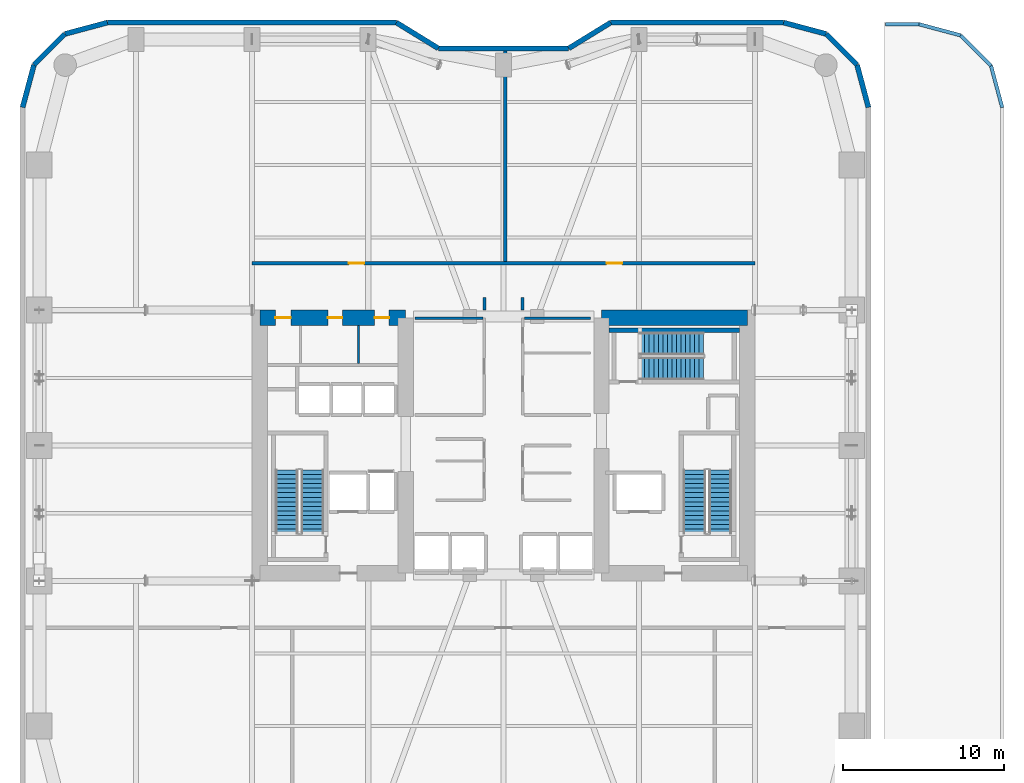
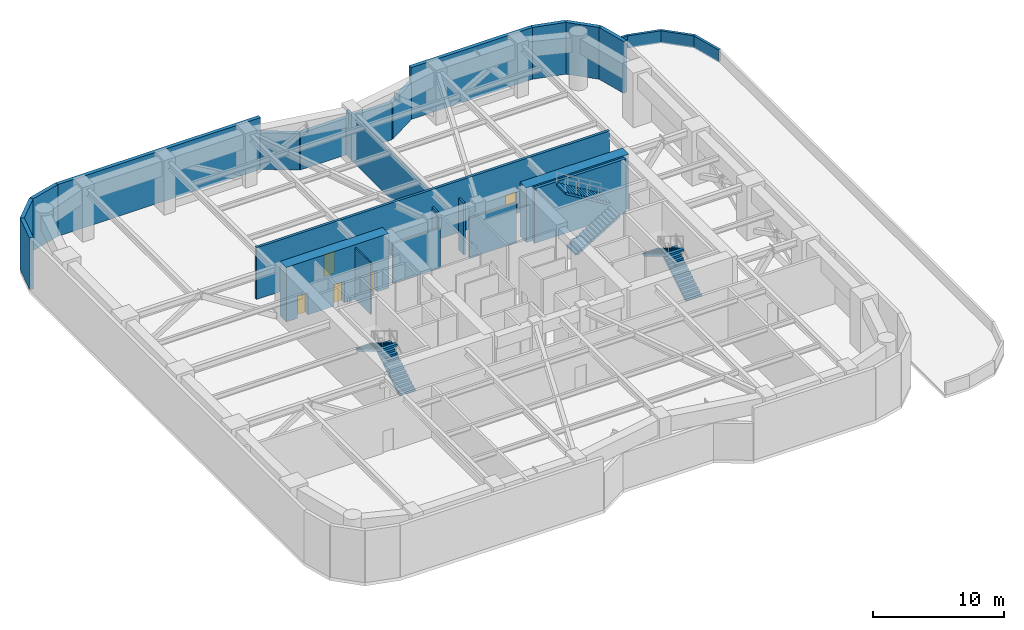
# One storey, part 14 of 16: 25 walls, 6 stair flights, 5 doors, 5 openings, 3 elements without a shape of their own.
"""IFC4 building model written with IfcOpenShell, lengths in metres."""

from ifc_helpers import new_model, si_unit, direction, frame, frame_2d, origin, place, context, subcontext, project, spatial, polyline, rectangle, outline, extrude, material, layer, layer_set, type_object, element, fill, aggregate, save


model = new_model("IFC4")

# Units and contexts
model_context = context("Model", 3, precision=1e-05, world=origin(), true_north=direction((0.0, 1.0)))
body_context = subcontext(model_context, "Body", "Model", "MODEL_VIEW")
ifc_project = project(units=[si_unit("LENGTHUNIT", "METRE"), si_unit("AREAUNIT", "SQUARE_METRE"), si_unit("VOLUMEUNIT", "CUBIC_METRE"), si_unit("PLANEANGLEUNIT", "RADIAN"), si_unit("MASSUNIT", "GRAM", prefix="KILO")], contexts=[model_context])

# Site, building, storey
site_placement = place(None, origin())
site = spatial("IfcSite", under=ifc_project, at=site_placement, CompositionType="ELEMENT")
building_placement = place(site_placement, origin())
building = spatial("IfcBuilding", under=site, at=building_placement, Name="Kiyonajd Concourse Tower", CompositionType="ELEMENT")
storey_placement = place(building_placement, frame((0.0, 0.0, 80.699951171875)))
storey = spatial("IfcBuildingStorey", under=building, at=storey_placement, Name="L21", CompositionType="ELEMENT", Elevation=80.699951171875)

# Wall, openings, doors
ifc_material_1 = material(Name="Concrete C80/95", Category="concrete")
ifc_layer_1 = layer(ifc_material_1, 0.949951171875)
ifc_layer_set_1 = layer_set([ifc_layer_1], Name="Concrete C80/95")
wall_type_1 = type_object("IfcWallType", Name="WL-CORE-950", PredefinedType="SHEAR", material=ifc_layer_set_1)
wall_1_placement = place(storey_placement, frame((32.875, 43.925048828125, 0.0), z_axis=(0.0, 0.0, 1.0), x_axis=(1.0, 0.0, 0.0)))
wall_1 = element("IfcWall", 1, at=wall_1_placement, inside=storey, type_object=wall_type_1, Name="L21 West Core North Shear Wall", PredefinedType="SHEAR", context=body_context, shape_type="SweptSolid", body=[
    extrude(rectangle(XDim=9.050048828125, YDim=0.949951171875, at=frame_2d((4.52490234375, 0.0))), origin(), (0.0, 0.0, 1.0), 5.10009765625),
])
opening_1_placement = place(wall_1_placement, frame((0.97509765625, 0.0, 0.0)))
opening_1 = element("IfcOpeningElement", 2, at=opening_1_placement, cuts=wall_1, Name="Opening DI1", PredefinedType="OPENING", context=body_context, shape_type="SweptSolid", body=[
    extrude(rectangle(XDim=0.949951171875, YDim=2.0400390625, at=frame_2d((0.47509765625, 1.02001953125))), frame((0.0, 0.48486328125, 0.0), z_axis=(0.0, -1.0, 0.0), x_axis=(1.0, 0.0, 0.0)), (0.0, 0.0, 1.0), 0.969970703125),
])
opening_2_placement = place(wall_1_placement, frame((4.22509765625, 0.0, 0.0)))
opening_2 = element("IfcOpeningElement", 3, at=opening_2_placement, cuts=wall_1, Name="Opening DI2", PredefinedType="OPENING", context=body_context, shape_type="SweptSolid", body=[
    extrude(rectangle(XDim=0.89990234375, YDim=2.02001953125, at=frame_2d((0.449951171875, 1.010009765625))), frame((0.0, 0.48486328125, 0.0), z_axis=(0.0, -1.0, 0.0), x_axis=(1.0, 0.0, 0.0)), (0.0, 0.0, 1.0), 0.969970703125),
])
opening_3_placement = place(wall_1_placement, frame((7.125, 0.0, 0.0)))
opening_3 = element("IfcOpeningElement", 4, at=opening_3_placement, cuts=wall_1, Name="Opening DI2", PredefinedType="OPENING", context=body_context, shape_type="SweptSolid", body=[
    extrude(rectangle(XDim=0.89990234375, YDim=2.02001953125, at=frame_2d((0.449951171875, 1.010009765625))), frame((0.0, 0.48486328125, 0.0), z_axis=(0.0, -1.0, 0.0), x_axis=(1.0, 0.0, 0.0)), (0.0, 0.0, 1.0), 0.969970703125),
])
ifc_material_2 = material(Name="Natural Oak Acoustic Timber Veneer", Category="wood")
door_type_1 = type_object("IfcDoorType", Name="DR-INT-900", OperationType="NOTDEFINED", PredefinedType="DOOR", material=ifc_material_2)
door_1_placement = place(opening_2_placement, origin())
door_1 = element("IfcDoor", 5, at=door_1_placement, inside=storey, type_object=door_type_1, Name="L21 Male Restroom Door", OperationType="SINGLE_SWING_RIGHT", OverallHeight=2.02001953125, OverallWidth=0.89990234375, PredefinedType="DOOR", context=body_context, shape_type="SweptSolid", body=[
    extrude(rectangle(XDim=0.89990234375, YDim=2.02001953125, at=frame_2d((0.449951171875, 1.010009765625))), frame((0.0, 0.02490234375, 0.0), z_axis=(0.0, -1.0, 0.0), x_axis=(1.0, 0.0, 0.0)), (0.0, 0.0, 1.0), 0.050048828125),
])
fill(opening_2, door_1)
door_2_placement = place(opening_3_placement, origin())
door_2 = element("IfcDoor", 6, at=door_2_placement, inside=storey, type_object=door_type_1, Name="L21 Female Restroom Door", OperationType="SINGLE_SWING_LEFT", OverallHeight=2.02001953125, OverallWidth=0.89990234375, PredefinedType="DOOR", context=body_context, shape_type="SweptSolid", body=[
    extrude(rectangle(XDim=0.89990234375, YDim=2.02001953125, at=frame_2d((0.449951171875, 1.010009765625))), frame((0.0, 0.02490234375, 0.0), z_axis=(0.0, -1.0, 0.0), x_axis=(1.0, 0.0, 0.0)), (0.0, 0.0, 1.0), 0.050048828125),
])
fill(opening_3, door_2)
door_type_2 = type_object("IfcDoorType", Name="DR-INT-950", OperationType="NOTDEFINED", PredefinedType="DOOR", material=ifc_material_2)
door_3_placement = place(opening_1_placement, origin())
door_3 = element("IfcDoor", 7, at=door_3_placement, inside=storey, type_object=door_type_2, Name="L21 Single User Accessible WC Door", OperationType="SINGLE_SWING_LEFT", OverallHeight=2.0400390625, OverallWidth=0.949951171875, PredefinedType="DOOR", context=body_context, shape_type="SweptSolid", body=[
    extrude(rectangle(XDim=0.949951171875, YDim=2.0400390625, at=frame_2d((0.47509765625, 1.02001953125))), frame((0.0, 0.02490234375, 0.0), z_axis=(0.0, -1.0, 0.0), x_axis=(1.0, 0.0, 0.0)), (0.0, 0.0, 1.0), 0.050048828125),
])
fill(opening_1, door_3)

# Walls
wall_2_placement = place(storey_placement, frame((54.074951171875, 43.925048828125, 0.0), z_axis=(0.0, 0.0, 1.0), x_axis=(1.0, 0.0, 0.0)))
element("IfcWall", 8, at=wall_2_placement, inside=storey, type_object=wall_type_1, Name="L21 East Core North Shear Wall", PredefinedType="SHEAR", context=body_context, shape_type="SweptSolid", body=[
    extrude(rectangle(XDim=9.050048828125, YDim=0.949951171875, at=frame_2d((4.52490234375, 0.0))), origin(), (0.0, 0.0, 1.0), 5.10009765625),
])
ifc_material_3 = material(Name="Precast concrete C50/60", Category="concrete")
ifc_layer_2 = layer(ifc_material_3, 0.320068359375)
ifc_layer_set_2 = layer_set([ifc_layer_2], Name="Precast concrete C50/60")
wall_type_2 = type_object("IfcWallType", Name="WL-EXT-320", PredefinedType="SOLIDWALL", material=ifc_layer_set_2)
wall_3_placement = place(storey_placement, frame((18.159912109375, 56.97900390625, 0.0), z_axis=(0.0, 0.0, 1.0), x_axis=(0.25869736047, 0.965958423373, 0.0)))
element("IfcWall", 9, at=wall_3_placement, inside=storey, type_object=wall_type_2, Name="L21 Exterior Concrete Frame Wall 01", PredefinedType="SOLIDWALL", context=body_context, shape_type="SweptSolid", body=[
    extrude(rectangle(XDim=2.731201171875, YDim=0.320068359375, at=frame_2d((1.36572265625, 0.0))), origin(), (0.0, 0.0, 1.0), 4.840087890625),
])
wall_4_placement = place(storey_placement, frame((18.866455078125, 59.6171875, 0.0), z_axis=(0.0, 0.0, 1.0), x_axis=(0.707106781187, 0.707106781187, 0.0)))
element("IfcWall", 10, at=wall_4_placement, inside=storey, type_object=wall_type_2, Name="L21 Exterior Concrete Frame Wall 02", PredefinedType="SOLIDWALL", context=body_context, shape_type="SweptSolid", body=[
    extrude(rectangle(XDim=2.7099609375, YDim=0.320068359375, at=frame_2d((1.35498046875, 0.0))), origin(), (0.0, 0.0, 1.0), 4.840087890625),
])
wall_5_placement = place(storey_placement, frame((20.78271484375, 61.533447265625, 0.0), z_axis=(0.0, 0.0, 1.0), x_axis=(0.965964405026, 0.25867502435, 0.0)))
element("IfcWall", 11, at=wall_5_placement, inside=storey, type_object=wall_type_2, Name="L21 Exterior Concrete Frame Wall 03", PredefinedType="SOLIDWALL", context=body_context, shape_type="SweptSolid", body=[
    extrude(rectangle(XDim=2.7314453125, YDim=0.320068359375, at=frame_2d((1.36572265625, 0.0))), origin(), (0.0, 0.0, 1.0), 4.840087890625),
])
wall_6_placement = place(storey_placement, frame((23.421142578125, 62.239990234375, 0.0), z_axis=(0.0, 0.0, 1.0), x_axis=(1.0, 0.0, 0.0)))
element("IfcWall", 12, at=wall_6_placement, inside=storey, type_object=wall_type_2, Name="L21 Exterior Concrete Frame Wall 04", PredefinedType="SOLIDWALL", context=body_context, shape_type="SweptSolid", body=[
    extrude(rectangle(XDim=17.93359375, YDim=0.320068359375, at=frame_2d((8.966796875, 0.0))), origin(), (0.0, 0.0, 1.0), 4.840087890625),
])
wall_7_placement = place(storey_placement, frame((41.354736328125, 62.239990234375, 0.0), z_axis=(0.0, 0.0, 1.0), x_axis=(0.851630857047, -0.524142044989, 0.0)))
element("IfcWall", 13, at=wall_7_placement, inside=storey, type_object=wall_type_2, Name="L21 Exterior Concrete Frame Wall 05", PredefinedType="SOLIDWALL", context=body_context, shape_type="SweptSolid", body=[
    extrude(rectangle(XDim=3.052734375, YDim=0.320068359375, at=frame_2d((1.5263671875, 0.0))), origin(), (0.0, 0.0, 1.0), 3.425048828125),
])
wall_8_placement = place(storey_placement, frame((43.95458984375, 60.639892578125, 0.0), z_axis=(0.0, 0.0, 1.0), x_axis=(1.0, 0.0, 0.0)))
element("IfcWall", 14, at=wall_8_placement, inside=storey, type_object=wall_type_2, Name="L21 Exterior Concrete Frame Wall 06", PredefinedType="SOLIDWALL", context=body_context, shape_type="SweptSolid", body=[
    extrude(rectangle(XDim=8.0908203125, YDim=0.320068359375, at=frame_2d((4.04541015625, 0.0))), origin(), (0.0, 0.0, 1.0), 3.425048828125),
])
wall_9_placement = place(storey_placement, frame((52.04541015625, 60.639892578125, 0.0), z_axis=(0.0, 0.0, 1.0), x_axis=(0.851630857047, 0.524142044989, 0.0)))
element("IfcWall", 15, at=wall_9_placement, inside=storey, type_object=wall_type_2, Name="L21 Exterior Concrete Frame Wall 07", PredefinedType="SOLIDWALL", context=body_context, shape_type="SweptSolid", body=[
    extrude(rectangle(XDim=3.052734375, YDim=0.320068359375, at=frame_2d((1.5263671875, 0.0))), origin(), (0.0, 0.0, 1.0), 3.425048828125),
])
wall_10_placement = place(storey_placement, frame((54.645263671875, 62.239990234375, 0.0), z_axis=(0.0, 0.0, 1.0), x_axis=(1.0, 0.0, 0.0)))
element("IfcWall", 16, at=wall_10_placement, inside=storey, type_object=wall_type_2, Name="L21 Exterior Concrete Frame Wall 08", PredefinedType="SOLIDWALL", context=body_context, shape_type="SweptSolid", body=[
    extrude(rectangle(XDim=10.733642578125, YDim=0.320068359375, at=frame_2d((5.36669921875, 0.0))), origin(), (0.0, 0.0, 1.0), 4.840087890625),
])
wall_11_placement = place(storey_placement, frame((65.37890625, 62.239990234375, 0.0), z_axis=(0.0, 0.0, 1.0), x_axis=(0.965958423373, -0.25869736047, 0.0)))
element("IfcWall", 17, at=wall_11_placement, inside=storey, type_object=wall_type_2, Name="L21 Exterior Concrete Frame Wall 09", PredefinedType="SOLIDWALL", context=body_context, shape_type="SweptSolid", body=[
    extrude(rectangle(XDim=2.731201171875, YDim=0.320068359375, at=frame_2d((1.36572265625, 0.0))), origin(), (0.0, 0.0, 1.0), 4.840087890625),
])
wall_12_placement = place(storey_placement, frame((68.01708984375, 61.533447265625, 0.0), z_axis=(0.0, 0.0, 1.0), x_axis=(0.707151821269, -0.707061738235, 0.0)))
element("IfcWall", 18, at=wall_12_placement, inside=storey, type_object=wall_type_2, Name="L21 Exterior Concrete Frame Wall 10", PredefinedType="SOLIDWALL", context=body_context, shape_type="SweptSolid", body=[
    extrude(rectangle(XDim=2.710205078125, YDim=0.320068359375, at=frame_2d((1.35498046875, 0.0))), origin(), (0.0, 0.0, 1.0), 4.840087890625),
])
wall_13_placement = place(storey_placement, frame((69.93359375, 59.6171875, 0.0), z_axis=(0.0, 0.0, 1.0), x_axis=(0.258613949072, -0.965980758269, 0.0)))
element("IfcWall", 19, at=wall_13_placement, inside=storey, type_object=wall_type_2, Name="L21 Exterior Concrete Frame Wall 11", PredefinedType="SOLIDWALL", context=body_context, shape_type="SweptSolid", body=[
    extrude(rectangle(XDim=2.731201171875, YDim=0.320068359375, at=frame_2d((1.36572265625, 0.0))), origin(), (0.0, 0.0, 1.0), 4.840087890625),
])

# Wall, openings, doors
ifc_material_4 = material(Name="Gypsum Board on Cold-Formed Steel Stud", Category="steel")
ifc_layer_3 = layer(ifc_material_4, 0.22998046875)
ifc_layer_set_3 = layer_set([ifc_layer_3], Name="Gypsum Board on Cold-Formed Steel Stud")
wall_type_3 = type_object("IfcWallType", Name="WL-FIRE-230", PredefinedType="PARTITIONING", material=ifc_layer_set_3)
wall_14_placement = place(storey_placement, frame((32.39990234375, 47.300048828125, 0.0), z_axis=(0.0, 0.0, 1.0), x_axis=(1.0, 0.0, 0.0)))
wall_14 = element("IfcWall", 20, at=wall_14_placement, inside=storey, type_object=wall_type_3, Name="L21 Interior Partition Wall", PredefinedType="PARTITIONING", context=body_context, shape_type="SweptSolid", body=[
    extrude(rectangle(XDim=31.2001953125, YDim=0.22998046875, at=frame_2d((15.60009765625, 0.0))), origin(), (0.0, 0.0, 1.0), 4.840087890625),
])
opening_4_placement = place(wall_14_placement, frame((6.0, 0.0, 0.0)))
opening_4 = element("IfcOpeningElement", 21, at=opening_4_placement, cuts=wall_14, Name="Opening DF3", PredefinedType="OPENING", context=body_context, shape_type="SweptSolid", body=[
    extrude(rectangle(XDim=0.949951171875, YDim=2.0400390625, at=frame_2d((0.47509765625, 1.02001953125))), frame((0.0, 0.125, 0.0), z_axis=(0.0, -1.0, 0.0), x_axis=(1.0, 0.0, 0.0)), (0.0, 0.0, 1.0), 0.25),
])
opening_5_placement = place(wall_14_placement, frame((22.0, 0.0, 0.0)))
opening_5 = element("IfcOpeningElement", 22, at=opening_5_placement, cuts=wall_14, Name="Opening DF3", PredefinedType="OPENING", context=body_context, shape_type="SweptSolid", body=[
    extrude(rectangle(XDim=0.949951171875, YDim=2.0400390625, at=frame_2d((0.47509765625, 1.02001953125))), frame((0.0, 0.125, 0.0), z_axis=(0.0, -1.0, 0.0), x_axis=(1.0, 0.0, 0.0)), (0.0, 0.0, 1.0), 0.25),
])
ifc_material_5 = material(Name="Brushed Stainless Steel Cab Assembly", Category="steel")
door_type_3 = type_object("IfcDoorType", Name="DR-FD60-950", OperationType="NOTDEFINED", PredefinedType="DOOR", material=ifc_material_5)
door_4_placement = place(opening_4_placement, origin())
door_4 = element("IfcDoor", 23, at=door_4_placement, inside=storey, type_object=door_type_3, Name="L21 Interior Door", OperationType="SINGLE_SWING_RIGHT", OverallHeight=2.0400390625, OverallWidth=0.949951171875, PredefinedType="DOOR", context=body_context, shape_type="SweptSolid", body=[
    extrude(rectangle(XDim=0.949951171875, YDim=2.0400390625, at=frame_2d((0.47509765625, 1.02001953125))), frame((0.0, 0.02490234375, 0.0), z_axis=(0.0, -1.0, 0.0), x_axis=(1.0, 0.0, 0.0)), (0.0, 0.0, 1.0), 0.050048828125),
])
fill(opening_4, door_4)
door_5_placement = place(opening_5_placement, origin())
door_5 = element("IfcDoor", 24, at=door_5_placement, inside=storey, type_object=door_type_3, Name="L21 Interior Door", OperationType="SINGLE_SWING_LEFT", OverallHeight=2.0400390625, OverallWidth=0.949951171875, PredefinedType="DOOR", context=body_context, shape_type="SweptSolid", body=[
    extrude(rectangle(XDim=0.949951171875, YDim=2.0400390625, at=frame_2d((0.47509765625, 1.02001953125))), frame((0.0, 0.02490234375, 0.0), z_axis=(0.0, -1.0, 0.0), x_axis=(1.0, 0.0, 0.0)), (0.0, 0.0, 1.0), 0.050048828125),
])
fill(opening_5, door_5)

# Walls
wall_15_placement = place(storey_placement, frame((48.10009765625, 47.4169921875, 0.0), z_axis=(0.0, 0.0, 1.0), x_axis=(0.0, 1.0, 0.0)))
element("IfcWall", 25, at=wall_15_placement, inside=storey, type_object=wall_type_3, Name="L21 Interior Partition Wall", PredefinedType="PARTITIONING", context=body_context, shape_type="SweptSolid", body=[
    extrude(rectangle(XDim=13.068115234375, YDim=0.22998046875, at=frame_2d((6.5341796875, 0.0))), origin(), (0.0, 0.0, 1.0), 4.203125),
])
ifc_layer_4 = layer(ifc_material_3, 0.219970703125)
ifc_layer_set_4 = layer_set([ifc_layer_4], Name="Precast concrete C50/60")
wall_type_4 = type_object("IfcWallType", Name="WL-PAR-220", PredefinedType="PARAPET", material=ifc_layer_set_4)
wall_16_placement = place(storey_placement, frame((76.364990234375, 61.4443359375, 0.0), z_axis=(0.0, 0.0, 1.0), x_axis=(0.707152710632, -0.707060848758, 0.0)))
element("IfcWall", 26, at=wall_16_placement, inside=storey, type_object=wall_type_4, Name="L21 Setback Roof Parapet 01", PredefinedType="PARAPET", context=body_context, shape_type="SweptSolid", body=[
    extrude(rectangle(XDim=2.65771484375, YDim=0.219970703125, at=frame_2d((1.328857421875, 0.0))), origin(), (0.0, 0.0, 1.0), 1.150146484375),
])
wall_17_placement = place(storey_placement, frame((78.244384765625, 59.565185546875, 0.0), z_axis=(0.0, 0.0, 1.0), x_axis=(0.258470033577, -0.966019276072, 0.0)))
element("IfcWall", 27, at=wall_17_placement, inside=storey, type_object=wall_type_4, Name="L21 Setback Roof Parapet 02", PredefinedType="PARAPET", context=body_context, shape_type="SweptSolid", body=[
    extrude(rectangle(XDim=2.691162109375, YDim=0.219970703125, at=frame_2d((1.345703125, 0.0))), origin(), (0.0, 0.0, 1.0), 1.150146484375),
])
wall_18_placement = place(storey_placement, frame((71.7099609375, 62.139892578125, 0.0), z_axis=(0.0, 0.0, 1.0), x_axis=(1.0, 0.0, 0.0)))
element("IfcWall", 28, at=wall_18_placement, inside=storey, type_object=wall_type_4, Name="L21 Setback Roof Parapet 09", PredefinedType="PARAPET", context=body_context, shape_type="SweptSolid", body=[
    extrude(rectangle(XDim=2.055419921875, YDim=0.219970703125, at=frame_2d((1.02783203125, 0.0))), origin(), (0.0, 0.0, 1.0), 1.150146484375),
])
wall_19_placement = place(storey_placement, frame((73.765380859375, 62.139892578125, 0.0), z_axis=(0.0, 0.0, 1.0), x_axis=(0.966019276072, -0.258470033577, 0.0)))
element("IfcWall", 29, at=wall_19_placement, inside=storey, type_object=wall_type_4, Name="L21 Setback Roof Parapet 10", PredefinedType="PARAPET", context=body_context, shape_type="SweptSolid", body=[
    extrude(rectangle(XDim=2.691162109375, YDim=0.219970703125, at=frame_2d((1.345703125, 0.0))), origin(), (0.0, 0.0, 1.0), 1.150146484375),
])
ifc_layer_5 = layer(ifc_material_4, 0.125)
ifc_layer_set_5 = layer_set([ifc_layer_5], Name="Gypsum Board on Cold-Formed Steel Stud")
wall_type_5 = type_object("IfcWallType", Name="WL-PART-125", PredefinedType="PARTITIONING", material=ifc_layer_set_5)
wall_20_placement = place(storey_placement, frame((39.0, 41.094970703125, 0.0), z_axis=(0.0, 0.0, 1.0), x_axis=(0.0, 1.0, 0.0)))
element("IfcWall", 30, at=wall_20_placement, inside=storey, type_object=wall_type_5, Name="L21 Interior Partition Wall", PredefinedType="PARTITIONING", context=body_context, shape_type="SweptSolid", body=[
    extrude(rectangle(XDim=2.35498046875, YDim=0.125, at=frame_2d((1.177490234375, 0.0))), origin(), (0.0, 0.0, 1.0), 4.840087890625),
])
ifc_layer_6 = layer(ifc_material_4, 0.169921875)
ifc_layer_set_6 = layer_set([ifc_layer_6], Name="Gypsum Board on Cold-Formed Steel Stud")
wall_type_6 = type_object("IfcWallType", Name="WL-SMK-170", PredefinedType="PARTITIONING", material=ifc_layer_set_6)
for number, where, z_axis, x_axis, name in (
    (31, (46.820068359375, 44.39990234375, 0.0), (0.0, 0.0, 1.0), (0.0, 1.0, 0.0), "L21 Interior Partition Wall"),
    (32, (49.179931640625, 44.39990234375, 0.0), (0.0, 0.0, 1.0), (0.0, 1.0, 0.0), "L21 Interior Partition Wall"),
):
    element("IfcWall", number, at=place(storey_placement, frame(where, z_axis=z_axis, x_axis=x_axis)), inside=storey, type_object=wall_type_6, Name=name, PredefinedType="PARTITIONING", context=body_context, shape_type="SweptSolid", body=[
        extrude(rectangle(XDim=0.780029296875, YDim=0.169921875, at=frame_2d((0.39013671875, 0.0))), origin(), (0.0, 0.0, 1.0), 4.840087890625),
    ])
wall_21_placement = place(storey_placement, frame((42.5, 43.89990234375, 0.0), z_axis=(0.0, 0.0, 1.0), x_axis=(1.0, 0.0, 0.0)))
element("IfcWall", 33, at=wall_21_placement, inside=storey, type_object=wall_type_6, Name="L21 Interior Partition Wall", PredefinedType="PARTITIONING", context=body_context, shape_type="SweptSolid", body=[
    extrude(rectangle(XDim=4.212890625, YDim=0.169921875, at=frame_2d((2.1064453125, 0.0))), origin(), (0.0, 0.0, 1.0), 3.72509765625),
])
wall_22_placement = place(storey_placement, frame((49.287109375, 43.89990234375, 0.0), z_axis=(0.0, 0.0, 1.0), x_axis=(1.0, 0.0, 0.0)))
element("IfcWall", 34, at=wall_22_placement, inside=storey, type_object=wall_type_6, Name="L21 Interior Partition Wall", PredefinedType="PARTITIONING", context=body_context, shape_type="SweptSolid", body=[
    extrude(rectangle(XDim=4.11279296875, YDim=0.169921875, at=frame_2d((2.056396484375, 0.0))), origin(), (0.0, 0.0, 1.0), 3.72509765625),
])
ifc_material_6 = material(Name="Concrete C50/60", Category="concrete")
ifc_layer_7 = layer(ifc_material_6, 0.260009765625)
ifc_layer_set_7 = layer_set([ifc_layer_7], Name="Concrete C50/60")
wall_type_7 = type_object("IfcWallType", Name="WL-STAIR-260", PredefinedType="SHEAR", material=ifc_layer_set_7)
wall_23_placement = place(storey_placement, frame((54.550048828125, 43.14990234375, 0.0), z_axis=(0.0, 0.0, 1.0), x_axis=(1.0, 0.0, 0.0)))
element("IfcWall", 35, at=wall_23_placement, inside=storey, type_object=wall_type_7, Name="L21 Stair ST3 Structural North Wall", PredefinedType="SHEAR", context=body_context, shape_type="SweptSolid", body=[
    extrude(rectangle(XDim=8.099853515625, YDim=0.260009765625, at=frame_2d((4.0498046875, 0.0))), origin(), (0.0, 0.0, 1.0), 5.10009765625),
])

# Stair, stair flights
ifc_material_7 = material(Name="Concrete C40/50", Category="concrete")
stair_type = type_object("IfcStairType", Name="ST-DLG-30R", PredefinedType="HALF_TURN_STAIR", material=ifc_material_7)
stair_1_placement = place(storey_placement, origin())
stair_1 = element("IfcStair", 36, at=stair_1_placement, inside=storey, type_object=stair_type, Name="L21 Protected Exit Stair ST1", PredefinedType="HALF_TURN_STAIR")
stair_flight_type = type_object("IfcStairFlightType", Name="SF-STR-30R", PredefinedType="STRAIGHT", material=ifc_material_7)
stair_flight_1_placement = place(storey_placement, frame((36.14990234375, 30.550048828125, 0.0), z_axis=(0.0, 0.0, 1.0), x_axis=(0.0, 1.0, 0.0)))
stair_flight_1 = element("IfcStairFlight", 37, at=stair_flight_1_placement, type_object=stair_flight_type, Name="ST1 flight 1", NumberOfRisers=15, NumberOfTreads=14, PredefinedType="STRAIGHT", RiserHeight=0.17, TreadLength=0.28, context=body_context, shape_type="SweptSolid", body=[
    extrude(outline(polyline([(0.0, 0.0), (0.0, 0.169921875), (0.280029296875, 0.169921875), (0.280029296875, 0.340087890625), (0.56005859375, 0.340087890625), (0.56005859375, 0.510009765625), (0.840087890625, 0.510009765625), (0.840087890625, 0.679931640625), (1.1201171875, 0.679931640625), (1.1201171875, 0.85009765625), (1.39990234375, 0.85009765625), (1.39990234375, 1.02001953125), (1.679931640625, 1.02001953125), (1.679931640625, 1.18994140625), (1.9599609375, 1.18994140625), (1.9599609375, 1.360107421875), (2.239990234375, 1.360107421875), (2.239990234375, 1.530029296875), (2.52001953125, 1.530029296875), (2.52001953125, 1.699951171875), (2.800048828125, 1.699951171875), (2.800048828125, 1.8701171875), (3.080078125, 1.8701171875), (3.080078125, 2.0400390625), (3.360107421875, 2.0400390625), (3.360107421875, 2.2099609375), (3.639892578125, 2.2099609375), (3.639892578125, 2.3798828125), (3.919921875, 2.3798828125), (3.919921875, 2.550048828125), (3.919921875, 2.20458984375), (0.288818359375, 0.0), (0.0, 0.0)])), frame((0.0, 0.699951171875, 0.0), z_axis=(0.0, -1.0, 0.0), x_axis=(1.0, 0.0, 0.0)), (0.0, 0.0, 1.0), 1.39990234375),
])
stair_flight_2_placement = place(storey_placement, frame((34.550048828125, 34.469970703125, 2.550048828125), z_axis=(0.0, 0.0, 1.0), x_axis=(0.0, -1.0, 0.0)))
stair_flight_2 = element("IfcStairFlight", 38, at=stair_flight_2_placement, type_object=stair_flight_type, Name="ST1 flight 2", NumberOfRisers=15, NumberOfTreads=14, PredefinedType="STRAIGHT", RiserHeight=0.17, TreadLength=0.28, context=body_context, shape_type="SweptSolid", body=[
    extrude(outline(polyline([(0.0, 0.0), (0.0, 0.169921875), (0.280029296875, 0.169921875), (0.280029296875, 0.340087890625), (0.56005859375, 0.340087890625), (0.56005859375, 0.510009765625), (0.840087890625, 0.510009765625), (0.840087890625, 0.679931640625), (1.1201171875, 0.679931640625), (1.1201171875, 0.85009765625), (1.39990234375, 0.85009765625), (1.39990234375, 1.02001953125), (1.679931640625, 1.02001953125), (1.679931640625, 1.18994140625), (1.9599609375, 1.18994140625), (1.9599609375, 1.360107421875), (2.239990234375, 1.360107421875), (2.239990234375, 1.530029296875), (2.52001953125, 1.530029296875), (2.52001953125, 1.699951171875), (2.800048828125, 1.699951171875), (2.800048828125, 1.8701171875), (3.080078125, 1.8701171875), (3.080078125, 2.0400390625), (3.360107421875, 2.0400390625), (3.360107421875, 2.2099609375), (3.639892578125, 2.2099609375), (3.639892578125, 2.3798828125), (3.919921875, 2.3798828125), (3.919921875, 2.550048828125), (3.919921875, 2.20458984375), (0.288818359375, 0.0), (0.0, 0.0)])), frame((0.0, 0.699951171875, 0.0), z_axis=(0.0, -1.0, 0.0), x_axis=(1.0, 0.0, 0.0)), (0.0, 0.0, 1.0), 1.39990234375),
])
aggregate(stair_1, [stair_flight_1, stair_flight_2])

stair_2_placement = place(storey_placement, origin())
stair_2 = element("IfcStair", 39, at=stair_2_placement, inside=storey, type_object=stair_type, Name="L21 Protected Exit Stair ST2", PredefinedType="HALF_TURN_STAIR")
stair_flight_3_placement = place(storey_placement, frame((61.449951171875, 30.550048828125, 0.0), z_axis=(0.0, 0.0, 1.0), x_axis=(0.0, 1.0, 0.0)))
stair_flight_3 = element("IfcStairFlight", 40, at=stair_flight_3_placement, type_object=stair_flight_type, Name="ST2 flight 1", NumberOfRisers=15, NumberOfTreads=14, PredefinedType="STRAIGHT", RiserHeight=0.17, TreadLength=0.28, context=body_context, shape_type="SweptSolid", body=[
    extrude(outline(polyline([(0.0, 0.0), (0.0, 0.169921875), (0.280029296875, 0.169921875), (0.280029296875, 0.340087890625), (0.56005859375, 0.340087890625), (0.56005859375, 0.510009765625), (0.840087890625, 0.510009765625), (0.840087890625, 0.679931640625), (1.1201171875, 0.679931640625), (1.1201171875, 0.85009765625), (1.39990234375, 0.85009765625), (1.39990234375, 1.02001953125), (1.679931640625, 1.02001953125), (1.679931640625, 1.18994140625), (1.9599609375, 1.18994140625), (1.9599609375, 1.360107421875), (2.239990234375, 1.360107421875), (2.239990234375, 1.530029296875), (2.52001953125, 1.530029296875), (2.52001953125, 1.699951171875), (2.800048828125, 1.699951171875), (2.800048828125, 1.8701171875), (3.080078125, 1.8701171875), (3.080078125, 2.0400390625), (3.360107421875, 2.0400390625), (3.360107421875, 2.2099609375), (3.639892578125, 2.2099609375), (3.639892578125, 2.3798828125), (3.919921875, 2.3798828125), (3.919921875, 2.550048828125), (3.919921875, 2.20458984375), (0.288818359375, 0.0), (0.0, 0.0)])), frame((0.0, 0.699951171875, 0.0), z_axis=(0.0, -1.0, 0.0), x_axis=(1.0, 0.0, 0.0)), (0.0, 0.0, 1.0), 1.39990234375),
])
stair_flight_4_placement = place(storey_placement, frame((59.85009765625, 34.469970703125, 2.550048828125), z_axis=(0.0, 0.0, 1.0), x_axis=(0.0, -1.0, 0.0)))
stair_flight_4 = element("IfcStairFlight", 41, at=stair_flight_4_placement, type_object=stair_flight_type, Name="ST2 flight 2", NumberOfRisers=15, NumberOfTreads=14, PredefinedType="STRAIGHT", RiserHeight=0.17, TreadLength=0.28, context=body_context, shape_type="SweptSolid", body=[
    extrude(outline(polyline([(0.0, 0.0), (0.0, 0.169921875), (0.280029296875, 0.169921875), (0.280029296875, 0.340087890625), (0.56005859375, 0.340087890625), (0.56005859375, 0.510009765625), (0.840087890625, 0.510009765625), (0.840087890625, 0.679931640625), (1.1201171875, 0.679931640625), (1.1201171875, 0.85009765625), (1.39990234375, 0.85009765625), (1.39990234375, 1.02001953125), (1.679931640625, 1.02001953125), (1.679931640625, 1.18994140625), (1.9599609375, 1.18994140625), (1.9599609375, 1.360107421875), (2.239990234375, 1.360107421875), (2.239990234375, 1.530029296875), (2.52001953125, 1.530029296875), (2.52001953125, 1.699951171875), (2.800048828125, 1.699951171875), (2.800048828125, 1.8701171875), (3.080078125, 1.8701171875), (3.080078125, 2.0400390625), (3.360107421875, 2.0400390625), (3.360107421875, 2.2099609375), (3.639892578125, 2.2099609375), (3.639892578125, 2.3798828125), (3.919921875, 2.3798828125), (3.919921875, 2.550048828125), (3.919921875, 2.20458984375), (0.288818359375, 0.0), (0.0, 0.0)])), frame((0.0, 0.699951171875, 0.0), z_axis=(0.0, -1.0, 0.0), x_axis=(1.0, 0.0, 0.0)), (0.0, 0.0, 1.0), 1.39990234375),
])
aggregate(stair_2, [stair_flight_3, stair_flight_4])

stair_3_placement = place(storey_placement, origin())
stair_3 = element("IfcStair", 42, at=stair_3_placement, inside=storey, type_object=stair_type, Name="L21 Protected Exit Stair ST3", PredefinedType="HALF_TURN_STAIR")
stair_flight_5_placement = place(storey_placement, frame((56.47998046875, 40.780029296875, 0.0), z_axis=(0.0, 0.0, 1.0), x_axis=(1.0, 0.0, 0.0)))
stair_flight_5 = element("IfcStairFlight", 43, at=stair_flight_5_placement, type_object=stair_flight_type, Name="ST3 flight 1", NumberOfRisers=15, NumberOfTreads=14, PredefinedType="STRAIGHT", RiserHeight=0.17, TreadLength=0.28, context=body_context, shape_type="SweptSolid", body=[
    extrude(outline(polyline([(0.0, 0.0), (0.0, 0.169921875), (0.280029296875, 0.169921875), (0.280029296875, 0.340087890625), (0.56005859375, 0.340087890625), (0.56005859375, 0.510009765625), (0.840087890625, 0.510009765625), (0.840087890625, 0.679931640625), (1.1201171875, 0.679931640625), (1.1201171875, 0.85009765625), (1.39990234375, 0.85009765625), (1.39990234375, 1.02001953125), (1.679931640625, 1.02001953125), (1.679931640625, 1.18994140625), (1.9599609375, 1.18994140625), (1.9599609375, 1.360107421875), (2.239990234375, 1.360107421875), (2.239990234375, 1.530029296875), (2.52001953125, 1.530029296875), (2.52001953125, 1.699951171875), (2.800048828125, 1.699951171875), (2.800048828125, 1.8701171875), (3.080078125, 1.8701171875), (3.080078125, 2.0400390625), (3.360107421875, 2.0400390625), (3.360107421875, 2.2099609375), (3.639892578125, 2.2099609375), (3.639892578125, 2.3798828125), (3.919921875, 2.3798828125), (3.919921875, 2.550048828125), (3.919921875, 2.20458984375), (0.288818359375, 0.0), (0.0, 0.0)])), frame((0.0, 0.699951171875, 0.0), z_axis=(0.0, -1.0, 0.0), x_axis=(1.0, 0.0, 0.0)), (0.0, 0.0, 1.0), 1.39990234375),
])
stair_flight_6_placement = place(storey_placement, frame((60.39990234375, 42.320068359375, 2.550048828125), z_axis=(0.0, 0.0, 1.0), x_axis=(-1.0, 0.0, 0.0)))
stair_flight_6 = element("IfcStairFlight", 44, at=stair_flight_6_placement, type_object=stair_flight_type, Name="ST3 flight 2", NumberOfRisers=15, NumberOfTreads=14, PredefinedType="STRAIGHT", RiserHeight=0.17, TreadLength=0.28, context=body_context, shape_type="SweptSolid", body=[
    extrude(outline(polyline([(0.0, 0.0), (0.0, 0.169921875), (0.280029296875, 0.169921875), (0.280029296875, 0.340087890625), (0.56005859375, 0.340087890625), (0.56005859375, 0.510009765625), (0.840087890625, 0.510009765625), (0.840087890625, 0.679931640625), (1.1201171875, 0.679931640625), (1.1201171875, 0.85009765625), (1.39990234375, 0.85009765625), (1.39990234375, 1.02001953125), (1.679931640625, 1.02001953125), (1.679931640625, 1.18994140625), (1.9599609375, 1.18994140625), (1.9599609375, 1.360107421875), (2.239990234375, 1.360107421875), (2.239990234375, 1.530029296875), (2.52001953125, 1.530029296875), (2.52001953125, 1.699951171875), (2.800048828125, 1.699951171875), (2.800048828125, 1.8701171875), (3.080078125, 1.8701171875), (3.080078125, 2.0400390625), (3.360107421875, 2.0400390625), (3.360107421875, 2.2099609375), (3.639892578125, 2.2099609375), (3.639892578125, 2.3798828125), (3.919921875, 2.3798828125), (3.919921875, 2.550048828125), (3.919921875, 2.20458984375), (0.288818359375, 0.0), (0.0, 0.0)])), frame((0.0, 0.699951171875, 0.0), z_axis=(0.0, -1.0, 0.0), x_axis=(1.0, 0.0, 0.0)), (0.0, 0.0, 1.0), 1.39990234375),
])
aggregate(stair_3, [stair_flight_5, stair_flight_6])

save(model, "model.ifc")
